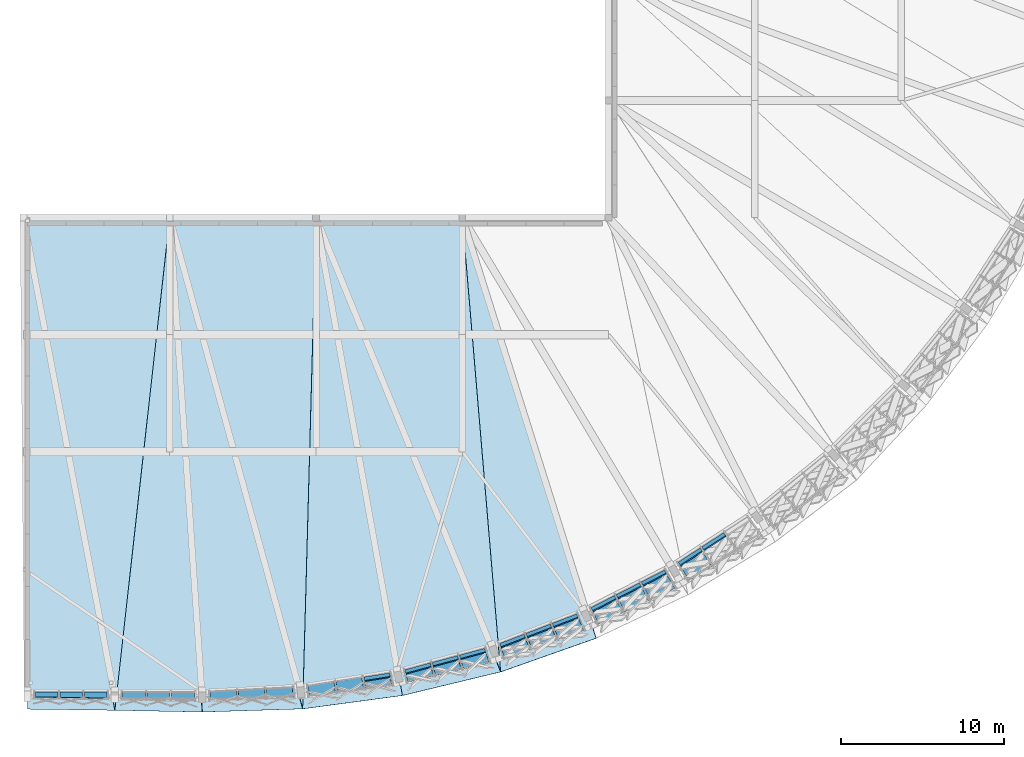
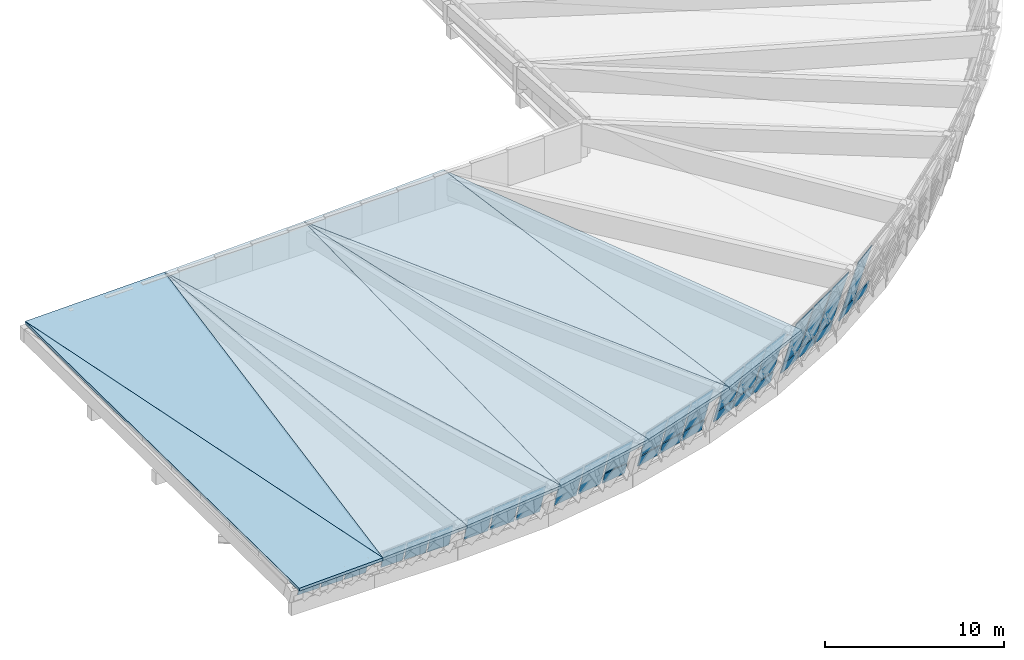
# One storey, part 8 of 11: 34 plates, 9 slabs, 8 elements without a shape of their own.
"""IFC4 building model written with IfcOpenShell, lengths in metres."""

from ifc_helpers import new_model, si_unit, direction, frame, origin, place, context, subcontext, project, spatial, polyline, outline, extrude, material, layer, layer_set, type_object, element, aggregate, save


model = new_model("IFC4")

# Units and contexts
model_context = context("Model", 3, precision=1e-05, world=origin(), true_north=direction((0.0, 1.0)))
body_context = subcontext(model_context, "Body", "Model", "MODEL_VIEW")
ifc_project = project(units=[si_unit("LENGTHUNIT", "METRE"), si_unit("AREAUNIT", "SQUARE_METRE"), si_unit("VOLUMEUNIT", "CUBIC_METRE"), si_unit("PLANEANGLEUNIT", "RADIAN"), si_unit("MASSUNIT", "GRAM", prefix="KILO")], contexts=[model_context])

# Site, building, storey
site_placement = place(None, origin())
site = spatial("IfcSite", under=ifc_project, at=site_placement, CompositionType="ELEMENT")
building_placement = place(site_placement, origin())
building = spatial("IfcBuilding", under=site, at=building_placement, Name="Chiffa Square Polytechnic", CompositionType="ELEMENT")
storey_placement = place(building_placement, frame((0.0, 0.0, 30.60009765625)))
storey = spatial("IfcBuildingStorey", under=building, at=storey_placement, Name="ROOF", CompositionType="ELEMENT", Elevation=30.60009765625)

# Curtain wall, plates
ifc_material_1 = material(Name="Aluminium EN AW-6060 T66 and glulam shading", Category="wood")
curtain_wall_type_1 = type_object("IfcCurtainWallType", Name="CW-PROW-LEAN-150", PredefinedType="USERDEFINED", material=ifc_material_1)
curtain_wall_1_placement = place(storey_placement, origin())
curtain_wall_1 = element("IfcCurtainWall", 1, at=curtain_wall_1_placement, inside=storey, type_object=curtain_wall_type_1, Name="Outward-leaning diamond-fin prow curtain wall CW-V1-ROOF-110", ObjectType="CURTAIN WALL", PredefinedType="USERDEFINED")
ifc_material_2 = material(Name="Double glazing", Category="glass")
ifc_layer_1 = layer(ifc_material_2, 0.035888671875, Name="Double glazing")
ifc_layer_set_1 = layer_set([ifc_layer_1], Name="Double glazing")
plate_type_1 = type_object("IfcPlateType", Name="CWP-GLZ-120X145", PredefinedType="CURTAIN_PANEL", material=ifc_layer_set_1)
plate_1_placement = place(storey_placement, frame((112.93408203125, -0.394287109375, -0.7001953125), z_axis=(3.075419e-05, 0.962166269848, 0.272462966697), x_axis=(0.999999999527, -2.9590644e-05, -8.379378e-06)))
plate_1 = element("IfcPlate", 2, at=plate_1_placement, type_object=plate_type_1, Name="Leaning prow curtain panel CW-V1-ROOF-110-PN01", PredefinedType="CURTAIN_PANEL", context=body_context, shape_type="SweptSolid", body=[
    extrude(outline(polyline([(0.0, 0.0), (1.396728514964473, 0.0), (1.3967285162855272, -1.1324563609446774), (-1.3210540361977674e-09, -1.0530112323674592), (0.0, 0.0)])), origin(), (0.0, 0.0, -1.0), 0.035888671875),
])
plate_2_placement = place(storey_placement, frame((114.439208984375, -0.394287109375, -0.7001953125), z_axis=(3.3201039e-05, 0.962189652345, 0.272380380749), x_axis=(0.999999999449, -3.1945696e-05, -9.043312e-06)))
plate_2 = element("IfcPlate", 3, at=plate_2_placement, type_object=plate_type_1, Name="Leaning prow curtain panel CW-V1-ROOF-110-PN02", PredefinedType="CURTAIN_PANEL", context=body_context, shape_type="SweptSolid", body=[
    extrude(outline(polyline([(0.0, 0.0), (1.3964843742303215, 0.0), (1.3964843757696788, -1.2179382986928071), (-1.5393572676821539e-09, -1.1384931777821268), (0.0, 0.0)])), origin(), (0.0, 0.0, -1.0), 0.035888671875),
])
plate_3_placement = place(storey_placement, frame((115.944091796875, -0.394287109375, -0.7001953125), z_axis=(3.0019525e-05, 0.962159231191, 0.272487821623), x_axis=(0.999999999549, -2.8883563e-05, -8.179955e-06)))
plate_3 = element("IfcPlate", 4, at=plate_3_placement, type_object=plate_type_1, Name="Leaning prow curtain panel CW-V1-ROOF-110-PN03", PredefinedType="CURTAIN_PANEL", context=body_context, shape_type="SweptSolid", body=[
    extrude(outline(polyline([(0.0, 0.0), (1.3967285149956539, 0.0), (1.3967285162543464, -1.3034867562244006), (-1.2586924854582652e-09, -1.2240416254544197), (0.0, 0.0)])), origin(), (0.0, 0.0, -1.0), 0.035888671875),
])
aggregate(curtain_wall_1, [plate_1, plate_2, plate_3])

# Curtain wall, plate
curtain_wall_type_2 = type_object("IfcCurtainWallType", Name="CW-PROW-LEAN-300", PredefinedType="USERDEFINED", material=ifc_material_1)
curtain_wall_2_placement = place(storey_placement, origin())
curtain_wall_2 = element("IfcCurtainWall", 5, at=curtain_wall_2_placement, inside=storey, type_object=curtain_wall_type_2, Name="Outward-leaning diamond-fin prow curtain wall CW-V1-ROOF-117", ObjectType="CURTAIN WALL", PredefinedType="USERDEFINED")
ifc_layer_2 = layer(ifc_material_2, 0.0419921875, Name="Double glazing")
ifc_layer_set_2 = layer_set([ifc_layer_2], Name="Double glazing")
plate_type_2 = type_object("IfcPlateType", Name="CWP-GLZ-136X122", PredefinedType="CURTAIN_PANEL", material=ifc_layer_set_2)
plate_4_placement = place(storey_placement, frame((152.602783203125, 7.406982421875, 0.1279296875), z_axis=(-0.524181591049, 0.807028038426, 0.271918011173), x_axis=(0.83862433393, 0.544710222233, -1.8330922e-05)))
plate_4 = element("IfcPlate", 6, at=plate_4_placement, type_object=plate_type_2, Name="Leaning prow curtain panel CW-V1-ROOF-117-PN01", PredefinedType="CURTAIN_PANEL", context=body_context, shape_type="SweptSolid", body=[
    extrude(outline(polyline([(0.0, 0.0), (1.611128006077637, 0.0), (1.5909153571958379, -3.9673898307313484), (-0.05220231356399581, -3.7504144004133284), (0.0, 0.0)])), origin(), (0.0, 0.0, -1.0), 0.0419921875),
])

# Curtain wall, plates
curtain_wall_3_placement = place(storey_placement, origin())
curtain_wall_3 = element("IfcCurtainWall", 7, at=curtain_wall_3_placement, inside=storey, type_object=curtain_wall_type_1, Name="Outward-leaning diamond-fin prow curtain wall CW-V1-ROOF-116", ObjectType="CURTAIN WALL", PredefinedType="USERDEFINED")
ifc_layer_3 = layer(ifc_material_2, 0.0419921875, Name="Double glazing")
ifc_layer_set_3 = layer_set([ifc_layer_3], Name="Double glazing")
plate_type_3 = type_object("IfcPlateType", Name="CWP-GLZ-138X126", PredefinedType="CURTAIN_PANEL", material=ifc_layer_set_3)
plate_5_placement = place(storey_placement, frame((147.220703125, 4.607421875, 0.1279296875), z_axis=(-0.436856462893, 0.857396756794, 0.272079459474), x_axis=(0.891012384625, 0.453978997513, 1.6166678e-05)))
plate_5 = element("IfcPlate", 8, at=plate_5_placement, type_object=plate_type_3, Name="Leaning prow curtain panel CW-V1-ROOF-116-PN01", PredefinedType="CURTAIN_PANEL", context=body_context, shape_type="SweptSolid", body=[
    extrude(outline(polyline([(0.0, 0.0), (1.6113683863599992, 0.0), (1.5947018089020626, -3.2893488032967464), (-0.04266850631637852, -3.082881846111864), (0.0, 0.0)])), origin(), (0.0, 0.0, -1.0), 0.0419921875),
])
plate_6_placement = place(storey_placement, frame((148.767822265625, 5.3955078125, 0.1279296875), z_axis=(-0.43694017296, 0.857380968476, 0.271994779635), x_axis=(0.890972130677, 0.454057994477, 3.065615e-06)))
plate_6 = element("IfcPlate", 9, at=plate_6_placement, type_object=plate_type_3, Name="Leaning prow curtain panel CW-V1-ROOF-116-PN02", PredefinedType="CURTAIN_PANEL", context=body_context, shape_type="SweptSolid", body=[
    extrude(outline(polyline([(0.0, 0.0), (1.6114792260634156, 2.7755575615628914e-17), (1.6269860285216415, -3.5117884384354823), (-0.01452637385976273, -3.3052824016203406), (0.0, 0.0)])), origin(), (0.0, 0.0, -1.0), 0.0419921875),
])
plate_7_placement = place(storey_placement, frame((150.31494140625, 6.183837890625, 0.1279296875), z_axis=(-0.436943532512, 0.857379513929, 0.271993967747), x_axis=(0.890968223074, 0.454065661858, -1.3947769e-05)))
plate_7 = element("IfcPlate", 10, at=plate_7_placement, type_object=plate_type_3, Name="Leaning prow curtain panel CW-V1-ROOF-116-PN03", PredefinedType="CURTAIN_PANEL", context=body_context, shape_type="SweptSolid", body=[
    extrude(outline(polyline([(0.0, 0.0), (1.6112617041653208, 0.0), (1.663249158559256, -3.7340629892663766), (0.01791932461762418, -3.527753142403866), (0.0, 0.0)])), origin(), (0.0, 0.0, -1.0), 0.0419921875),
])

curtain_wall_4_placement = place(storey_placement, origin())
curtain_wall_4 = element("IfcCurtainWall", 11, at=curtain_wall_4_placement, inside=storey, type_object=curtain_wall_type_2, Name="Outward-leaning diamond-fin prow curtain wall CW-V1-ROOF-115", ObjectType="CURTAIN WALL", PredefinedType="USERDEFINED")
ifc_layer_4 = layer(ifc_material_2, 0.0400390625, Name="Double glazing")
ifc_layer_set_4 = layer_set([ifc_layer_4], Name="Double glazing")
plate_type_4 = type_object("IfcPlateType", Name="CWP-GLZ-140X130", PredefinedType="CURTAIN_PANEL", material=ifc_layer_set_4)
plate_8_placement = place(storey_placement, frame((141.576171875, 2.38525390625, 0.1279296875), z_axis=(-0.344874016151, 0.89840294054, 0.271908200341), x_axis=(0.933575027199, 0.358382014271, -2.091312e-05)))
plate_8 = element("IfcPlate", 12, at=plate_8_placement, type_object=plate_type_4, Name="Leaning prow curtain panel CW-V1-ROOF-115-PN01", PredefinedType="CURTAIN_PANEL", context=body_context, shape_type="SweptSolid", body=[
    extrude(outline(polyline([(0.0, 0.0), (1.6114797762123332, -2.7755575615628914e-17), (1.5978643827453876, -2.6473858818777876), (-0.03425874074201846, -2.452728105411471), (0.0, 0.0)])), origin(), (0.0, 0.0, -1.0), 0.0400390625),
])
plate_9_placement = place(storey_placement, frame((143.197265625, 3.007568359375, 0.1279296875), z_axis=(-0.344934215273, 0.89839147072, 0.271869734379), x_axis=(0.933554226156, 0.358436196284, -4.513651e-06)))
plate_9 = element("IfcPlate", 13, at=plate_9_placement, type_object=plate_type_4, Name="Leaning prow curtain panel CW-V1-ROOF-115-PN02", PredefinedType="CURTAIN_PANEL", context=body_context, shape_type="SweptSolid", body=[
    extrude(outline(polyline([(0.0, 0.0), (1.6114797807566148, 0.0), (1.6241363936018116, -2.8573894428313276), (-0.011702630662854412, -2.6625354263251637), (0.0, 0.0)])), origin(), (0.0, 0.0, -1.0), 0.0400390625),
])
plate_10_placement = place(storey_placement, frame((144.818359375, 3.6298828125, 0.1279296875), z_axis=(-0.344972158855, 0.898367047038, 0.271902295707), x_axis=(0.933535238664, 0.358485644484, -2.9507626e-05)))
plate_10 = element("IfcPlate", 14, at=plate_10_placement, type_object=plate_type_4, Name="Leaning prow curtain panel CW-V1-ROOF-115-PN03", PredefinedType="CURTAIN_PANEL", context=body_context, shape_type="SweptSolid", body=[
    extrude(outline(polyline([(0.0, 0.0), (1.611567300083896, 2.7755575615628914e-17), (1.6541467809826211, -3.067268738077914), (0.014686854618226369, -2.872328404065534), (0.0, 0.0)])), origin(), (0.0, 0.0, -1.0), 0.0400390625),
])

curtain_wall_5_placement = place(storey_placement, origin())
curtain_wall_5 = element("IfcCurtainWall", 15, at=curtain_wall_5_placement, inside=storey, type_object=curtain_wall_type_1, Name="Outward-leaning diamond-fin prow curtain wall CW-V1-ROOF-114", ObjectType="CURTAIN WALL", PredefinedType="USERDEFINED")
ifc_layer_5 = layer(ifc_material_2, 0.0400390625, Name="Double glazing")
ifc_layer_set_5 = layer_set([ifc_layer_5], Name="Double glazing")
plate_type_5 = type_object("IfcPlateType", Name="CWP-GLZ-144X134", PredefinedType="CURTAIN_PANEL", material=ifc_layer_set_5)
plate_11_placement = place(storey_placement, frame((135.72998046875, 0.765380859375, 0.1279296875), z_axis=(-0.249155747221, 0.929537179384, 0.271812519523), x_axis=(0.96590333335, 0.258902975305, 1.564923e-06)))
plate_11 = element("IfcPlate", 16, at=plate_11_placement, type_object=plate_type_5, Name="Leaning prow curtain panel CW-V1-ROOF-114-PN01", PredefinedType="CURTAIN_PANEL", context=body_context, shape_type="SweptSolid", body=[
    extrude(outline(polyline([(0.0, 0.0), (1.6115880952717208, -2.7755575615628914e-17), (1.6010007587324568, -2.0465313632006814), (-0.025920482187166947, -1.864893104002526), (0.0, 0.0)])), origin(), (0.0, 0.0, -1.0), 0.0400390625),
])
plate_12_placement = place(storey_placement, frame((137.4072265625, 1.21484375, 0.1279296875), z_axis=(-0.249192372259, 0.929558059146, 0.271707519744), x_axis=(0.9658958653, 0.258930834977, 9.70755e-06)))
plate_12 = element("IfcPlate", 17, at=plate_12_placement, type_object=plate_type_5, Name="Leaning prow curtain panel CW-V1-ROOF-114-PN02", PredefinedType="CURTAIN_PANEL", context=body_context, shape_type="SweptSolid", body=[
    extrude(outline(polyline([(0.0, 0.0), (1.6115880942698462, 0.0), (1.621188820087875, -2.242298808273671), (-0.009050869277746097, -2.060693579555388), (0.0, 0.0)])), origin(), (0.0, 0.0, -1.0), 0.0400390625),
])
plate_13_placement = place(storey_placement, frame((139.084716796875, 1.66455078125, 0.1279296875), z_axis=(-0.249226984793, 0.929545756868, 0.271717860913), x_axis=(0.965885990071, 0.258967669983, 9.400044e-06)))
plate_13 = element("IfcPlate", 18, at=plate_13_placement, type_object=plate_type_5, Name="Leaning prow curtain panel CW-V1-ROOF-114-PN03", PredefinedType="CURTAIN_PANEL", context=body_context, shape_type="SweptSolid", body=[
    extrude(outline(polyline([(0.0, 0.0), (1.6113522789801866, 1.3877787807814457e-17), (1.6448419540842876, -2.437897054677059), (0.011049933047353744, -2.256290271545898), (0.0, 0.0)])), origin(), (0.0, 0.0, -1.0), 0.0400390625),
])

curtain_wall_6_placement = place(storey_placement, origin())
curtain_wall_6 = element("IfcCurtainWall", 19, at=curtain_wall_6_placement, inside=storey, type_object=curtain_wall_type_2, Name="Outward-leaning diamond-fin prow curtain wall CW-V1-ROOF-113", ObjectType="CURTAIN WALL", PredefinedType="USERDEFINED")
ifc_layer_6 = layer(ifc_material_2, 0.0380859375, Name="Double glazing")
ifc_layer_set_6 = layer_set([ifc_layer_6], Name="Double glazing")
plate_type_6 = type_object("IfcPlateType", Name="CWP-GLZ-146X138", PredefinedType="CURTAIN_PANEL", material=ifc_layer_set_6)
plate_14_placement = place(storey_placement, frame((129.721923828125, -0.001220703125, -0.7001953125), z_axis=(-0.150612906177, 0.950485646209, 0.271832280725), x_axis=(0.987678855009, 0.156494337148, 4.2531925e-05)))
plate_14 = element("IfcPlate", 20, at=plate_14_placement, type_object=plate_type_6, Name="Leaning prow curtain panel CW-V1-ROOF-113-PN01", PredefinedType="CURTAIN_PANEL", context=body_context, shape_type="SweptSolid", body=[
    extrude(outline(polyline([(0.0, 0.0), (1.6037060780147903, -1.3877787807814457e-17), (1.5919462029694706, -2.353698365574935), (-0.029905275104834456, -2.187671649900429), (0.0, 0.0)])), origin(), (0.0, 0.0, -1.0), 0.0380859375),
])
plate_15_placement = place(storey_placement, frame((131.4287109375, 0.26904296875, -0.7001953125), z_axis=(-0.150679012349, 0.950495815625, 0.271760077489), x_axis=(0.987667520788, 0.156565858216, 2.0508741e-05)))
plate_15 = element("IfcPlate", 21, at=plate_15_placement, type_object=plate_type_6, Name="Leaning prow curtain panel CW-V1-ROOF-113-PN02", PredefinedType="CURTAIN_PANEL", context=body_context, shape_type="SweptSolid", body=[
    extrude(outline(polyline([(0.0, 0.0), (1.6037442815238674, 0.0), (1.6148350496155015, -2.5327882810336977), (-0.010220788044954719, -2.366691337566078), (0.0, 0.0)])), origin(), (0.0, 0.0, -1.0), 0.0380859375),
])
plate_16_placement = place(storey_placement, frame((133.176513671875, 0.309326171875, 0.1279296875), z_axis=(-0.150691240641, 0.950519093403, 0.271671866541), x_axis=(0.987665823135, 0.156576567975, 1.3143752e-05)))
plate_16 = element("IfcPlate", 22, at=plate_16_placement, type_object=plate_type_6, Name="Leaning prow curtain panel CW-V1-ROOF-113-PN03", PredefinedType="CURTAIN_PANEL", context=body_context, shape_type="SweptSolid", body=[
    extrude(outline(polyline([(0.0, 0.0), (1.611169294411712, 0.0), (1.6367723338611084, -1.8513460019974706), (0.008507027071195855, -1.6852287927533813), (0.0, 0.0)])), origin(), (0.0, 0.0, -1.0), 0.0380859375),
])

curtain_wall_7_placement = place(storey_placement, origin())
curtain_wall_7 = element("IfcCurtainWall", 23, at=curtain_wall_7_placement, inside=storey, type_object=curtain_wall_type_1, Name="Outward-leaning diamond-fin prow curtain wall CW-V1-ROOF-112", ObjectType="CURTAIN WALL", PredefinedType="USERDEFINED")
ifc_layer_7 = layer(ifc_material_2, 0.0380859375, Name="Double glazing")
ifc_layer_set_7 = layer_set([ifc_layer_7], Name="Double glazing")
plate_type_7 = type_object("IfcPlateType", Name="CWP-GLZ-148X142", PredefinedType="CURTAIN_PANEL", material=ifc_layer_set_7)
plate_17_placement = place(storey_placement, frame((123.691162109375, -0.368896484375, -0.7001953125), z_axis=(-0.05054769169, 0.960957587749, 0.272039418857), x_axis=(0.998619450338, 0.0525280249, 2.587836e-06)))
plate_17 = element("IfcPlate", 24, at=plate_17_placement, type_object=plate_type_7, Name="Leaning prow curtain panel CW-V1-ROOF-112-PN01", PredefinedType="CURTAIN_PANEL", context=body_context, shape_type="SweptSolid", body=[
    extrude(outline(polyline([(0.0, 0.0), (1.6037758209980244, 3.469446951953614e-18), (1.5945571797845925, -1.857652847773118), (-0.023976755516378907, -1.7100028882773457), (0.0, 0.0)])), origin(), (0.0, 0.0, -1.0), 0.0380859375),
])
plate_18_placement = place(storey_placement, frame((125.4169921875, -0.2783203125, -0.7001953125), z_axis=(-0.050575204023, 0.960983005284, 0.271944502231), x_axis=(0.998618128657, 0.052553144754, 9.695416e-06)))
plate_18 = element("IfcPlate", 25, at=plate_18_placement, type_object=plate_type_7, Name="Leaning prow curtain panel CW-V1-ROOF-112-PN02", PredefinedType="CURTAIN_PANEL", context=body_context, shape_type="SweptSolid", body=[
    extrude(outline(polyline([(0.0, 0.0), (1.6037758200513264, 6.938893903907228e-18), (1.6130751119319922, -2.0166601894578116), (-0.008153488847941101, -1.8690381731553538), (0.0, 0.0)])), origin(), (0.0, 0.0, -1.0), 0.0380859375),
])
plate_19_placement = place(storey_placement, frame((127.142822265625, -0.1875, -0.7001953125), z_axis=(-0.050514641581, 0.960968793809, 0.272005971093), x_axis=(0.998621147836, 0.052495743169, -6.549986e-06)))
plate_19 = element("IfcPlate", 26, at=plate_19_placement, type_object=plate_type_7, Name="Leaning prow curtain panel CW-V1-ROOF-112-PN03", PredefinedType="CURTAIN_PANEL", context=body_context, shape_type="SweptSolid", body=[
    extrude(outline(polyline([(0.0, 0.0), (1.6037758206056052, 0.0), (1.634749668605732, -2.1755442363449946), (0.010839228858507006, -2.0281187988830425), (0.0, 0.0)])), origin(), (0.0, 0.0, -1.0), 0.0380859375),
])
aggregate(curtain_wall_7, [plate_17, plate_18, plate_19])

curtain_wall_8_placement = place(storey_placement, origin())
curtain_wall_8 = element("IfcCurtainWall", 27, at=curtain_wall_8_placement, inside=storey, type_object=curtain_wall_type_2, Name="Outward-leaning diamond-fin prow curtain wall CW-V1-ROOF-111", ObjectType="CURTAIN WALL", PredefinedType="USERDEFINED")
ifc_layer_8 = layer(ifc_material_2, 0.035888671875, Name="Double glazing")
ifc_layer_set_8 = layer_set([ifc_layer_8], Name="Double glazing")
plate_type_8 = type_object("IfcPlateType", Name="CWP-GLZ-180X140", PredefinedType="CURTAIN_PANEL", material=ifc_layer_set_8)
plate_20_placement = place(storey_placement, frame((118.30908203125, -0.394287109375, -0.7001953125), z_axis=(6.3943849e-05, 0.96221879192, 0.272277418063), x_axis=(0.999999997956, -6.1527974e-05, -1.7410466e-05)))
plate_20 = element("IfcPlate", 28, at=plate_20_placement, type_object=plate_type_8, Name="Leaning prow curtain panel CW-V1-ROOF-111-PN01", PredefinedType="CURTAIN_PANEL", context=body_context, shape_type="SweptSolid", body=[
    extrude(outline(polyline([(0.0, 0.0), (1.3967285127695173, 0.0), (1.396728518480483, -1.4343424588955134), (-5.7109657347177245e-09, -1.3112344513748044), (0.0, 0.0)])), origin(), (0.0, 0.0, -1.0), 0.035888671875),
])
plate_21_placement = place(storey_placement, frame((119.814208984375, -0.394287109375, -0.7001953125), z_axis=(-2.3644121e-05, 0.962197226007, 0.272353626203), x_axis=(0.99999999972, 2.2750308e-05, 6.439562e-06)))
plate_21 = element("IfcPlate", 29, at=plate_21_placement, type_object=plate_type_8, Name="Leaning prow curtain panel CW-V1-ROOF-111-PN02", PredefinedType="CURTAIN_PANEL", context=body_context, shape_type="SweptSolid", body=[
    extrude(outline(polyline([(0.0, 0.0), (1.3964843746096516, -1.1828682759508296e-21), (1.3964843753903484, -1.5670420430211194), (-7.806968593406747e-10, -1.4440005143238674), (0.0, 0.0)])), origin(), (0.0, 0.0, -1.0), 0.035888671875),
])
plate_22_placement = place(storey_placement, frame((121.319091796875, -0.394287109375, -0.7001953125), z_axis=(6.384807e-05, 0.962218200174, 0.272279509288), x_axis=(0.999999997962, -6.1435775e-05, -1.7384521e-05)))
plate_22 = element("IfcPlate", 30, at=plate_22_placement, type_object=plate_type_8, Name="Leaning prow curtain panel CW-V1-ROOF-111-PN03", PredefinedType="CURTAIN_PANEL", context=body_context, shape_type="SweptSolid", body=[
    extrude(outline(polyline([(0.0, 0.0), (1.396728512778065, 4.732300284415871e-21), (1.3967285184719351, -1.6997416227450688), (-5.69387005396426e-09, -1.57663361483644), (0.0, 0.0)])), origin(), (0.0, 0.0, -1.0), 0.035888671875),
])
aggregate(curtain_wall_8, [plate_20, plate_21, plate_22])

# Plate
ifc_material_3 = material(Name="Aluminium insulated spandrel", Category="aluminium")
ifc_layer_9 = layer(ifc_material_3, 0.072021484375, Name="Aluminium insulated spandrel")
ifc_layer_set_9 = layer_set([ifc_layer_9], Name="Aluminium insulated spandrel")
plate_type_9 = type_object("IfcPlateType", Name="CWP-SPN-136X072", PredefinedType="SHEET", material=ifc_layer_set_9)
plate_23_placement = place(storey_placement, frame((152.485107421875, 7.609619140625, -0.7001953125), z_axis=(-0.524237391085, 0.807041973643, 0.271769039015), x_axis=(0.83860768579, 0.544735852521, 1.7690793e-05)))
plate_23 = element("IfcPlate", 31, at=plate_23_placement, type_object=plate_type_9, Name="Leaning prow curtain panel CW-V1-ROOF-117-SP01", PredefinedType="SHEET", context=body_context, shape_type="SweptSolid", body=[
    extrude(outline(polyline([(0.0, 0.0), (1.6037486868492692, 0.0), (1.5995907296861187, -0.8023883886073933), (-0.010994810291445145, -0.8024474766542993), (0.0, 0.0)])), origin(), (0.0, 0.0, -1.0), 0.072021484375),
])

plate_24_placement = place(storey_placement, frame((153.934326171875, 8.55078125, -0.7001953125), z_axis=(-0.524229777414, 0.807069689395, 0.271701411354), x_axis=(0.838615611806, 0.544723650614, -9.834303e-06)))
plate_24 = element("IfcPlate", 32, at=plate_24_placement, type_object=plate_type_9, Name="Leaning prow curtain panel CW-V1-ROOF-117-SP02", PredefinedType="SHEET", context=body_context, shape_type="SweptSolid", body=[
    extrude(outline(polyline([(0.0, 0.0), (1.6035439481751217, -2.7755575615628914e-17), (1.6071567067899468, -0.8024182949646576), (-0.003295842323299166, -0.8023854520517797), (0.0, 0.0)])), origin(), (0.0, 0.0, -1.0), 0.072021484375),
])

aggregate(curtain_wall_2, [plate_23, plate_4, plate_24])

ifc_layer_10 = layer(ifc_material_3, 0.070068359375, Name="Aluminium insulated spandrel")
ifc_layer_set_10 = layer_set([ifc_layer_10], Name="Aluminium insulated spandrel")
plate_type_10 = type_object("IfcPlateType", Name="CWP-SPN-138X074", PredefinedType="SHEET", material=ifc_layer_set_10)
plate_25_placement = place(storey_placement, frame((147.125244140625, 4.8212890625, -0.7001953125), z_axis=(-0.436840015936, 0.857454754386, 0.271923049148), x_axis=(0.891029083489, 0.453946221879, -4.365776e-06)))
plate_25 = element("IfcPlate", 33, at=plate_25_placement, type_object=plate_type_10, Name="Leaning prow curtain panel CW-V1-ROOF-116-SP01", PredefinedType="SHEET", context=body_context, shape_type="SweptSolid", body=[
    extrude(outline(polyline([(0.0, 0.0), (1.6037257957281663, 2.7755575615628914e-17), (1.599674477442907, -0.8024613269735222), (-0.011148011902235282, -0.8024467434541865), (0.0, 0.0)])), origin(), (0.0, 0.0, -1.0), 0.070068359375),
])

plate_26_placement = place(storey_placement, frame((148.6650390625, 5.60595703125, -0.7001953125), z_axis=(-0.436869252047, 0.857439048981, 0.27192560361), x_axis=(0.891014588807, 0.453974671663, 4.656578e-06)))
plate_26 = element("IfcPlate", 34, at=plate_26_placement, type_object=plate_type_10, Name="Leaning prow curtain panel CW-V1-ROOF-116-SP02", PredefinedType="SHEET", context=body_context, shape_type="SweptSolid", body=[
    extrude(outline(polyline([(0.0, 0.0), (1.6037257956997177, 2.7755575615628914e-17), (1.6070995350219648, -0.8024468949797953), (-0.003505419723600755, -0.8024624488585886), (0.0, 0.0)])), origin(), (0.0, 0.0, -1.0), 0.070068359375),
])

plate_27_placement = place(storey_placement, frame((150.20458984375, 6.390380859375, -0.7001953125), z_axis=(-0.436876476728, 0.857453228793, 0.271869278356), x_axis=(0.89101458856, 0.453974672148, 4.65569e-06)))
plate_27 = element("IfcPlate", 35, at=plate_27_placement, type_object=plate_type_10, Name="Leaning prow curtain panel CW-V1-ROOF-116-SP03", PredefinedType="SHEET", context=body_context, shape_type="SweptSolid", body=[
    extrude(outline(polyline([(0.0, 0.0), (1.6037257956997102, 0.0), (1.6150704920180634, -0.802433587733737), (0.004465537272474347, -0.8024491383907808), (0.0, 0.0)])), origin(), (0.0, 0.0, -1.0), 0.070068359375),
])

aggregate(curtain_wall_3, [plate_25, plate_5, plate_26, plate_6, plate_27, plate_7])

ifc_layer_11 = layer(ifc_material_3, 0.068115234375, Name="Aluminium insulated spandrel")
ifc_layer_set_11 = layer_set([ifc_layer_11], Name="Aluminium insulated spandrel")
plate_type_11 = type_object("IfcPlateType", Name="CWP-SPN-140X076", PredefinedType="SHEET", material=ifc_layer_set_11)
plate_28_placement = place(storey_placement, frame((141.50341796875, 2.60791015625, -0.7001953125), z_axis=(-0.345000937304, 0.898347071017, 0.271931780515), x_axis=(0.933526740088, 0.358507775932, 1.1730453e-05)))
plate_28 = element("IfcPlate", 36, at=plate_28_placement, type_object=plate_type_11, Name="Leaning prow curtain panel CW-V1-ROOF-115-SP01", PredefinedType="SHEET", context=body_context, shape_type="SweptSolid", body=[
    extrude(outline(polyline([(0.0, 0.0), (1.6039075462103172, 2.7755575615628914e-17), (1.5999076017194365, -0.8024366245795663), (-0.011116352576236757, -0.802475813973254), (0.0, 0.0)])), origin(), (0.0, 0.0, -1.0), 0.068115234375),
])

plate_29_placement = place(storey_placement, frame((143.116943359375, 3.227294921875, -0.7001953125), z_axis=(-0.344946915046, 0.898396700563, 0.271836337193), x_axis=(0.933550275047, 0.358446486821, -6.819068e-06)))
plate_29 = element("IfcPlate", 37, at=plate_29_placement, type_object=plate_type_11, Name="Leaning prow curtain panel CW-V1-ROOF-115-SP02", PredefinedType="SHEET", context=body_context, shape_type="SweptSolid", body=[
    extrude(outline(polyline([(0.0, 0.0), (1.6039075471979833, 2.7755575615628914e-17), (1.6074798337160783, -0.802445032359702), (-0.0034566007608266463, -0.8024222523015153), (0.0, 0.0)])), origin(), (0.0, 0.0, -1.0), 0.068115234375),
])

plate_30_placement = place(storey_placement, frame((144.73046875, 3.846923828125, -0.7001953125), z_axis=(-0.344943324858, 0.898387350101, 0.271871792972), x_axis=(0.933550274866, 0.35844648729, -6.819887e-06)))
plate_30 = element("IfcPlate", 38, at=plate_30_placement, type_object=plate_type_11, Name="Leaning prow curtain panel CW-V1-ROOF-115-SP03", PredefinedType="SHEET", context=body_context, shape_type="SweptSolid", body=[
    extrude(outline(polyline([(0.0, 0.0), (1.6039075471979942, 2.7755575615628914e-17), (1.6150520666979131, -0.8024534392787718), (0.004115632221039604, -0.8024306562493683), (0.0, 0.0)])), origin(), (0.0, 0.0, -1.0), 0.068115234375),
])

aggregate(curtain_wall_4, [plate_28, plate_8, plate_29, plate_9, plate_30, plate_10])

ifc_layer_12 = layer(ifc_material_3, 0.06591796875, Name="Aluminium insulated spandrel")
ifc_layer_set_12 = layer_set([ifc_layer_12], Name="Aluminium insulated spandrel")
plate_type_12 = type_object("IfcPlateType", Name="CWP-SPN-144X078", PredefinedType="SHEET", material=ifc_layer_set_12)
plate_31_placement = place(storey_placement, frame((135.680908203125, 0.994384765625, -0.7001953125), z_axis=(-0.249147669047, 0.929571488005, 0.271702572122), x_axis=(0.965910184296, 0.25887741254, 3.3894933e-05)))
plate_31 = element("IfcPlate", 39, at=plate_31_placement, type_object=plate_type_12, Name="Leaning prow curtain panel CW-V1-ROOF-114-SP01", PredefinedType="SHEET", context=body_context, shape_type="SweptSolid", body=[
    extrude(outline(polyline([(0.0, 0.0), (1.6039447340975796, -1.3877787807814457e-17), (1.5999384010988857, -0.8023457959737592), (-0.010942239172733346, -0.80245902167147), (0.0, 0.0)])), origin(), (0.0, 0.0, -1.0), 0.06591796875),
])

plate_32_placement = place(storey_placement, frame((137.3505859375, 1.441650390625, -0.7001953125), z_axis=(-0.249152190601, 0.929588357951, 0.271640701444), x_axis=(0.965907375197, 0.258887895659, -4.547813e-06)))
plate_32 = element("IfcPlate", 40, at=plate_32_placement, type_object=plate_type_12, Name="Leaning prow curtain panel CW-V1-ROOF-114-SP02", PredefinedType="SHEET", context=body_context, shape_type="SweptSolid", body=[
    extrude(outline(polyline([(0.0, 0.0), (1.6040079378706393, 1.3877787807814457e-17), (1.6072506899323182, -0.8023951783483338), (-0.003566748524244102, -0.8023799866987563), (0.0, 0.0)])), origin(), (0.0, 0.0, -1.0), 0.06591796875),
])

plate_33_placement = place(storey_placement, frame((139.02001953125, 1.88916015625, -0.7001953125), z_axis=(-0.249151380507, 0.929585335486, 0.271651787479), x_axis=(0.96590737517, 0.25888789576, -4.547984e-06)))
plate_33 = element("IfcPlate", 41, at=plate_33_placement, type_object=plate_type_12, Name="Leaning prow curtain panel CW-V1-ROOF-114-SP03", PredefinedType="SHEET", context=body_context, shape_type="SweptSolid", body=[
    extrude(outline(polyline([(0.0, 0.0), (1.6040079378706407, -1.3877787807814457e-17), (1.6148308471069646, -0.802397823372258), (0.004013408650406755, -0.8023826311026881), (0.0, 0.0)])), origin(), (0.0, 0.0, -1.0), 0.06591796875),
])

aggregate(curtain_wall_5, [plate_31, plate_11, plate_32, plate_12, plate_33, plate_13])

ifc_layer_13 = layer(ifc_material_3, 0.06396484375, Name="Aluminium insulated spandrel")
ifc_layer_set_13 = layer_set([ifc_layer_13], Name="Aluminium insulated spandrel")
plate_type_13 = type_object("IfcPlateType", Name="CWP-SPN-146X082", PredefinedType="SHEET", material=ifc_layer_set_13)
plate_34_placement = place(storey_placement, frame((133.135498046875, 0.53955078125, -0.7001953125), z_axis=(-0.150500873879, 0.950589540941, 0.271530866782), x_axis=(0.987697959148, 0.156373723591, 8.028025e-06)))
plate_34 = element("IfcPlate", 42, at=plate_34_placement, type_object=plate_type_13, Name="Leaning prow curtain panel CW-V1-ROOF-113-SP03", PredefinedType="SHEET", context=body_context, shape_type="SweptSolid", body=[
    extrude(outline(polyline([(0.0, 0.0), (1.6037060969439745, -1.3877787807814457e-17), (1.6149558236691215, -0.8023482718721412), (0.004065862117418059, -0.8023750861486892), (0.0, 0.0)])), origin(), (0.0, 0.0, -1.0), 0.06396484375),
])

aggregate(curtain_wall_6, [plate_14, plate_15, plate_34, plate_16])

# Slabs
ifc_material_4 = material(Name="CLT C24", Category="wood")
ifc_layer_14 = layer(ifc_material_4, 0.199951171875, Name="CLT C24")
ifc_layer_set_14 = layer_set([ifc_layer_14], Name="CLT C24")
slab_type = type_object("IfcSlabType", Name="SLB-ROOF-200", PredefinedType="ROOF", material=ifc_layer_set_14)
slab_1_placement = place(storey_placement, frame((112.20068359375, 28.7939453125, 0.534912109375), z_axis=(-0.045902730152, -0.000379958802, 0.998945841873), x_axis=(0.008277193629, -0.999965743446, 0.0)))
element("IfcSlab", 43, at=slab_1_placement, inside=storey, type_object=slab_type, Name="Swept faculty prow glulam roof panel SLB-ROOF-V1-SW01", PredefinedType="ROOF", context=body_context, shape_type="SweptSolid", body=[
    extrude(outline(polyline([(0.0, 0.0), (30.232969271092557, 2.7755575615628914e-17), (30.347745028591742, 5.376972472936146), (0.0, 0.0)])), origin(), (0.0, 0.0, -1.0), 0.199951171875),
])
slab_2_placement = place(storey_placement, frame((112.20263671875, 28.794677734375, 0.534912109375), z_axis=(-0.023904528558, 0.003716003416, 0.999707339591), x_axis=(0.182411302574, -0.983189633292, 0.008016338293)))
element("IfcSlab", 44, at=slab_2_placement, inside=storey, type_object=slab_type, Name="Swept faculty prow glulam roof panel SLB-ROOF-V1-SW02", PredefinedType="ROOF", context=body_context, shape_type="SweptSolid", body=[
    extrude(outline(polyline([(0.0, 0.0), (30.82084406598592, -2.0990154059319366e-16), (1.642775296801198, 8.846450440791257), (0.0, 0.0)])), origin(), (0.0, 0.0, -1.0), 0.199951171875),
])
slab_3_placement = place(storey_placement, frame((121.199951171875, 28.7939453125, 0.75), z_axis=(-0.070901106891, 0.008945565171, 0.997443236433), x_axis=(-0.110637994796, -0.993860218429, 0.00104896702)))
element("IfcSlab", 45, at=slab_3_placement, inside=storey, type_object=slab_type, Name="Swept faculty prow glulam roof panel SLB-ROOF-V1-SW03", PredefinedType="ROOF", context=body_context, shape_type="SweptSolid", body=[
    extrude(outline(polyline([(0.0, 0.0), (30.489444623961134, -2.949029909160572e-17), (30.002765717063394, 5.364499051579765), (0.0, 0.0)])), origin(), (0.0, 0.0, -1.0), 0.199951171875),
])
slab_4_placement = place(storey_placement, frame((121.200927734375, 28.794189453125, 0.75), z_axis=(-0.074407738294, 0.00870859912, 0.997189875993), x_axis=(0.06561114936, -0.997752457012, 0.013609247071)))
element("IfcSlab", 46, at=slab_4_placement, inside=storey, type_object=slab_type, Name="Swept faculty prow glulam roof panel SLB-ROOF-V1-SW04", PredefinedType="ROOF", context=body_context, shape_type="SweptSolid", body=[
    extrude(outline(polyline([(0.0, 0.0), (30.4789030354185, -3.5735303605122226e-16), (30.697053043008914, 6.190049536876568), (0.0, 0.0)])), origin(), (0.0, 0.0, -1.0), 0.199951171875),
])
slab_5_placement = place(storey_placement, frame((121.202880859375, 28.794921875, 0.75), z_axis=(-0.033330108492, 0.019879601967, 0.999246668893), x_axis=(0.261003012941, -0.964934640919, 0.027902795368)))
element("IfcSlab", 47, at=slab_5_placement, inside=storey, type_object=slab_type, Name="Swept faculty prow glulam roof panel SLB-ROOF-V1-SW05", PredefinedType="ROOF", context=body_context, shape_type="SweptSolid", body=[
    extrude(outline(polyline([(0.0, 0.0), (31.315116831987744, -6.349087922075114e-16), (2.3568316279857946, 8.68605248256564), (0.0, 0.0)])), origin(), (0.0, 0.0, -1.0), 0.199951171875),
])
slab_6_placement = place(storey_placement, frame((130.200439453125, 28.7939453125, 1.050048828125), z_axis=(-0.086691819537, 0.021278277062, 0.996007913297), x_axis=(-0.02718982025, -0.999449986112, 0.018985229405)))
element("IfcSlab", 48, at=slab_6_placement, inside=storey, type_object=slab_type, Name="Swept faculty prow glulam roof panel SLB-ROOF-V1-SW06", PredefinedType="ROOF", context=body_context, shape_type="SweptSolid", body=[
    extrude(outline(polyline([(0.0, 0.0), (30.232692854067523, 4.163336342344337e-17), (29.25234705353422, 6.136174545924446), (0.0, 0.0)])), origin(), (0.0, 0.0, -1.0), 0.199951171875),
])
slab_7_placement = place(storey_placement, frame((130.20166015625, 28.794189453125, 1.05029296875), z_axis=(-0.097709303525, 0.019246417502, 0.99502887768), x_axis=(0.177872049498, -0.983376930524, 0.036487621469)))
element("IfcSlab", 49, at=slab_7_placement, inside=storey, type_object=slab_type, Name="Swept faculty prow glulam roof panel SLB-ROOF-V1-SW07", PredefinedType="ROOF", context=body_context, shape_type="SweptSolid", body=[
    extrude(outline(polyline([(0.0, 0.0), (29.88893569842815, -8.049116928532385e-16), (29.555517133614785, 6.225474711155261), (0.0, 0.0)])), origin(), (0.0, 0.0, -1.0), 0.199951171875),
])
slab_8_placement = place(storey_placement, frame((130.20361328125, 28.795166015625, 1.05029296875), z_axis=(-0.04437305577, 0.041104385989, 0.998169054506), x_axis=(0.375874738457, -0.925048569266, 0.054802604764)))
element("IfcSlab", 50, at=slab_8_placement, inside=storey, type_object=slab_type, Name="Swept faculty prow glulam roof panel SLB-ROOF-V1-SW08", PredefinedType="ROOF", context=body_context, shape_type="SweptSolid", body=[
    extrude(outline(polyline([(0.0, 0.0), (30.204283986596334, 1.4085954624931674e-15), (3.40376461178238, 8.335589387391114), (0.0, 0.0)])), origin(), (0.0, 0.0, -1.0), 0.199951171875),
])
slab_9_placement = place(storey_placement, frame((139.201171875, 28.794189453125, 1.4501953125), z_axis=(-0.114748060448, 0.034934429248, 0.992780171174), x_axis=(0.083993886568, -0.995461514599, 0.044737008971)))
element("IfcSlab", 51, at=slab_9_placement, inside=storey, type_object=slab_type, Name="Swept faculty prow glulam roof panel SLB-ROOF-V1-SW09", PredefinedType="ROOF", context=body_context, shape_type="SweptSolid", body=[
    extrude(outline(polyline([(0.0, 0.0), (28.066588787847085, 0.0), (26.524225414539305, 6.062498246444969), (0.0, 0.0)])), origin(), (0.0, 0.0, -1.0), 0.199951171875),
])

save(model, "model.ifc")
